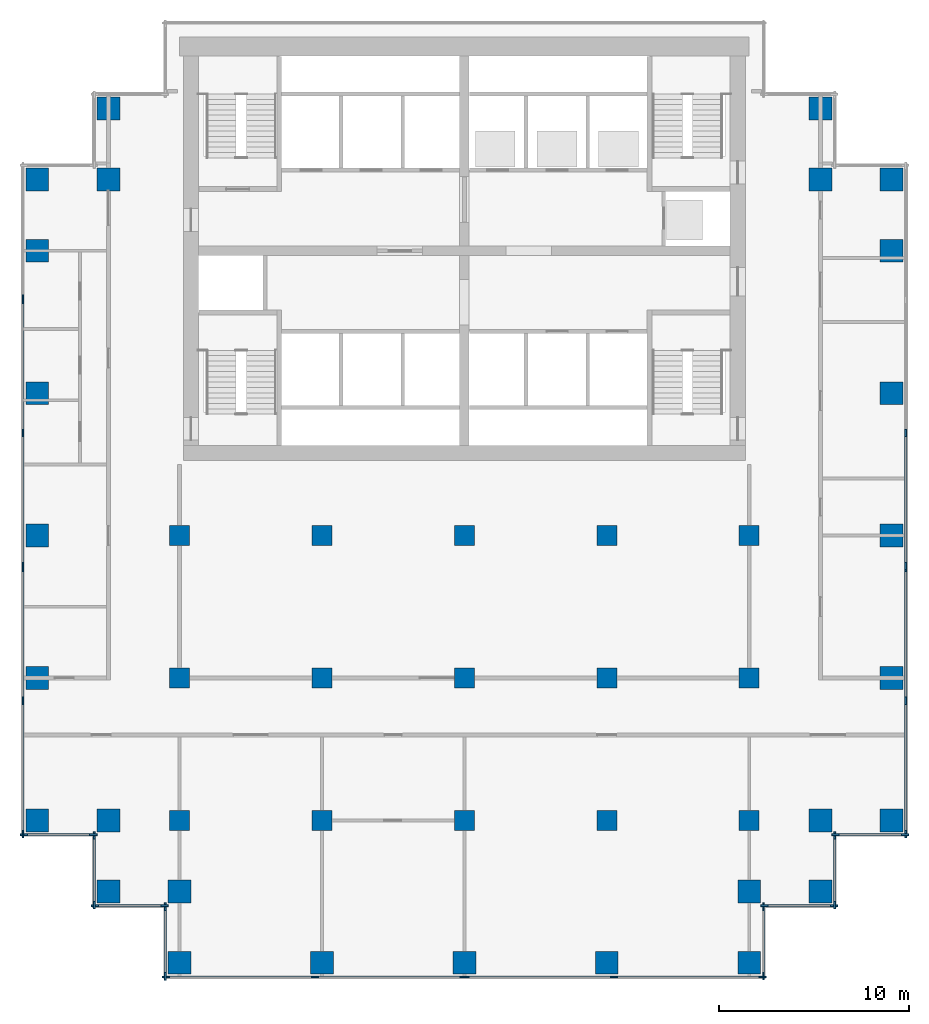
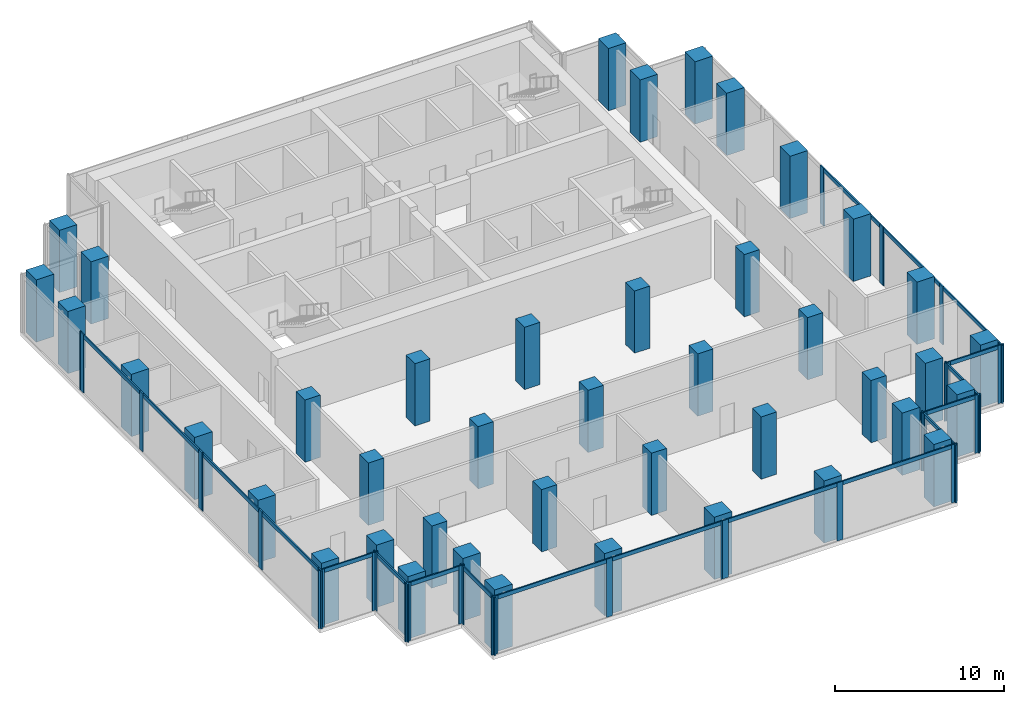
# One storey, part 1 of 8: 53 members, 42 columns, 15 elements without a shape of their own.
"""IFC4 building model written with IfcOpenShell, lengths in metres."""

from ifc_helpers import new_model, si_unit, direction, frame, origin, origin_2d, place, context, subcontext, project, spatial, rectangle, extrude, material, material_profile, profile_set, type_object, element, aggregate, save


model = new_model("IFC4")

# Units and contexts
model_context = context("Model", 3, precision=1e-05, world=origin(), true_north=direction((0.0, 1.0)))
body_context = subcontext(model_context, "Body", "Model", "MODEL_VIEW")
ifc_project = project(units=[si_unit("LENGTHUNIT", "METRE"), si_unit("AREAUNIT", "SQUARE_METRE"), si_unit("VOLUMEUNIT", "CUBIC_METRE"), si_unit("PLANEANGLEUNIT", "RADIAN"), si_unit("MASSUNIT", "GRAM", prefix="KILO")], contexts=[model_context])

# Site, building, storey
site_placement = place(None, origin())
site = spatial("IfcSite", under=ifc_project, at=site_placement, CompositionType="ELEMENT")
building_placement = place(site_placement, origin())
building = spatial("IfcBuilding", under=site, at=building_placement, Name="Pilkhan Gate Tower", CompositionType="ELEMENT")
storey_placement = place(building_placement, frame((0.0, 0.0, 143.199951171875)))
storey = spatial("IfcBuildingStorey", under=building, at=storey_placement, Name="L36", CompositionType="ELEMENT", Elevation=143.199951171875)

# Columns
ifc_material_1 = material(Name="Concrete C60/75", Category="concrete")
ifc_material_profile_1 = material_profile(ifc_material_1, rectangle(XDim=1.050048828125, YDim=1.050048828125, at=origin_2d()), Name="RC 1050x1050")
ifc_profile_set_1 = profile_set([ifc_material_profile_1], Name="Concrete C60/75")
column_type_1 = type_object("IfcColumnType", Name="Column C105 RC 1050x1050 C60/75", PredefinedType="COLUMN", material=ifc_profile_set_1)
for number, where, z_axis, x_axis, name in (
    (1, (60.0, 52.5, 0.0), (0.0, 0.0, 1.0), (1.0, 0.0, 0.0), "Column 7/D L36"),
    (2, (60.0, 60.0, 0.0), (0.0, 0.0, 1.0), (1.0, 0.0, 0.0), "Column 7/F L36"),
    (3, (60.0, 67.5, 0.0), (0.0, 0.0, 1.0), (1.0, 0.0, 0.0), "Column 7/H L36"),
    (4, (67.5, 52.5, 0.0), (0.0, 0.0, 1.0), (1.0, 0.0, 0.0), "Column 9/D L36"),
    (5, (67.5, 60.0, 0.0), (0.0, 0.0, 1.0), (1.0, 0.0, 0.0), "Column 9/F L36"),
    (6, (67.5, 67.5, 0.0), (0.0, 0.0, 1.0), (1.0, 0.0, 0.0), "Column 9/H L36"),
    (7, (75.0, 52.5, 0.0), (0.0, 0.0, 1.0), (1.0, 0.0, 0.0), "Column 11/D L36"),
    (8, (75.0, 60.0, 0.0), (0.0, 0.0, 1.0), (1.0, 0.0, 0.0), "Column 11/F L36"),
    (9, (75.0, 67.5, 0.0), (0.0, 0.0, 1.0), (1.0, 0.0, 0.0), "Column 11/H L36"),
    (10, (82.5, 52.5, 0.0), (0.0, 0.0, 1.0), (1.0, 0.0, 0.0), "Column 13/D L36"),
    (11, (82.5, 60.0, 0.0), (0.0, 0.0, 1.0), (1.0, 0.0, 0.0), "Column 13/F L36"),
    (12, (82.5, 67.5, 0.0), (0.0, 0.0, 1.0), (1.0, 0.0, 0.0), "Column 13/H L36"),
    (13, (90.0, 52.5, 0.0), (0.0, 0.0, 1.0), (1.0, 0.0, 0.0), "Column 15/D L36"),
    (14, (90.0, 60.0, 0.0), (0.0, 0.0, 1.0), (1.0, 0.0, 0.0), "Column 15/F L36"),
    (15, (90.0, 67.5, 0.0), (0.0, 0.0, 1.0), (1.0, 0.0, 0.0), "Column 15/H L36"),
):
    element("IfcColumn", number, at=place(storey_placement, frame(where, z_axis=z_axis, x_axis=x_axis)), inside=storey, type_object=column_type_1, Name=name, PredefinedType="COLUMN", context=body_context, shape_type="SweptSolid", body=[
        extrude(rectangle(XDim=1.050048828125, YDim=1.050048828125, at=origin_2d()), origin(), (0.0, 0.0, 1.0), 4.5),
    ])
ifc_material_profile_2 = material_profile(ifc_material_1, rectangle(XDim=1.199951171875, YDim=1.199951171875, at=origin_2d()), Name="RC 1200x1200")
ifc_profile_set_2 = profile_set([ifc_material_profile_2], Name="Concrete C60/75")
column_type_2 = type_object("IfcColumnType", Name="Column C120 RC 1200x1200 C60/75", PredefinedType="COLUMN", material=ifc_profile_set_2)
for number, where, z_axis, x_axis, name in (
    (16, (52.5, 52.5, 0.0), (0.0, 0.0, 1.0), (1.0, 0.0, 0.0), "Column 5/D L36"),
    (17, (52.5, 60.0, 0.0), (0.0, 0.0, 1.0), (1.0, 0.0, 0.0), "Column 5/F L36"),
    (18, (52.5, 67.5, 0.0), (0.0, 0.0, 1.0), (1.0, 0.0, 0.0), "Column 5/H L36"),
    (19, (52.5, 75.0, 0.0), (0.0, 0.0, 1.0), (1.0, 0.0, 0.0), "Column 5/K L36"),
    (20, (52.5, 82.5, 0.0), (0.0, 0.0, 1.0), (1.0, 0.0, 0.0), "Column 5/M L36"),
    (21, (52.5, 86.25, 0.0), (0.0, 0.0, 1.0), (1.0, 0.0, 0.0), "Column 5/N L36"),
    (22, (56.25, 48.75, 0.0), (0.0, 0.0, 1.0), (1.0, 0.0, 0.0), "Column 6/C L36"),
    (23, (56.25, 52.5, 0.0), (0.0, 0.0, 1.0), (1.0, 0.0, 0.0), "Column 6/D L36"),
    (24, (56.25, 86.25, 0.0), (0.0, 0.0, 1.0), (1.0, 0.0, 0.0), "Column 6/N L36"),
    (25, (56.25, 90.0, 0.0), (0.0, 0.0, 1.0), (1.0, 0.0, 0.0), "Column 6/P L36"),
    (26, (60.0, 45.0, 0.0), (0.0, 0.0, 1.0), (1.0, 0.0, 0.0), "Column 7/B L36"),
    (27, (60.0, 48.75, 0.0), (0.0, 0.0, 1.0), (1.0, 0.0, 0.0), "Column 7/C L36"),
    (28, (67.5, 45.0, 0.0), (0.0, 0.0, 1.0), (1.0, 0.0, 0.0), "Column 9/B L36"),
    (29, (75.0, 45.0, 0.0), (0.0, 0.0, 1.0), (1.0, 0.0, 0.0), "Column 11/B L36"),
    (30, (82.5, 45.0, 0.0), (0.0, 0.0, 1.0), (1.0, 0.0, 0.0), "Column 13/B L36"),
    (31, (90.0, 45.0, 0.0), (0.0, 0.0, 1.0), (1.0, 0.0, 0.0), "Column 15/B L36"),
    (32, (90.0, 48.75, 0.0), (0.0, 0.0, 1.0), (1.0, 0.0, 0.0), "Column 15/C L36"),
    (33, (93.75, 48.75, 0.0), (0.0, 0.0, 1.0), (1.0, 0.0, 0.0), "Column 16/C L36"),
    (34, (93.75, 52.5, 0.0), (0.0, 0.0, 1.0), (1.0, 0.0, 0.0), "Column 16/D L36"),
    (35, (93.75, 86.25, 0.0), (0.0, 0.0, 1.0), (1.0, 0.0, 0.0), "Column 16/N L36"),
    (36, (93.75, 90.0, 0.0), (0.0, 0.0, 1.0), (1.0, 0.0, 0.0), "Column 16/P L36"),
    (37, (97.5, 52.5, 0.0), (0.0, 0.0, 1.0), (1.0, 0.0, 0.0), "Column 17/D L36"),
    (38, (97.5, 60.0, 0.0), (0.0, 0.0, 1.0), (1.0, 0.0, 0.0), "Column 17/F L36"),
    (39, (97.5, 67.5, 0.0), (0.0, 0.0, 1.0), (1.0, 0.0, 0.0), "Column 17/H L36"),
    (40, (97.5, 75.0, 0.0), (0.0, 0.0, 1.0), (1.0, 0.0, 0.0), "Column 17/K L36"),
    (41, (97.5, 82.5, 0.0), (0.0, 0.0, 1.0), (1.0, 0.0, 0.0), "Column 17/M L36"),
    (42, (97.5, 86.25, 0.0), (0.0, 0.0, 1.0), (1.0, 0.0, 0.0), "Column 17/N L36"),
):
    element("IfcColumn", number, at=place(storey_placement, frame(where, z_axis=z_axis, x_axis=x_axis)), inside=storey, type_object=column_type_2, Name=name, PredefinedType="COLUMN", context=body_context, shape_type="SweptSolid", body=[
        extrude(rectangle(XDim=1.199951171875, YDim=1.199951171875, at=origin_2d()), origin(), (0.0, 0.0, 1.0), 4.5),
    ])

# Curtain wall, members
ifc_material_2 = material(Name="Pale anodised aluminium, clear low-iron laminated glazing", Category="aluminium")
curtain_wall_type = type_object("IfcCurtainWallType", Name="Sky lobby and deck curtain wall CW-S", PredefinedType="USERDEFINED", material=ifc_material_2)
curtain_wall_1_placement = place(storey_placement, origin())
curtain_wall_1 = element("IfcCurtainWall", 43, at=curtain_wall_1_placement, inside=storey, type_object=curtain_wall_type, Name="Sky lobby and deck curtain wall CW-S L36 E", ObjectType="UNITISED CURTAIN WALL", PredefinedType="USERDEFINED")
ifc_material_3 = material(Name="Pale anodised aluminium", Category="aluminium")
ifc_material_profile_3 = material_profile(ifc_material_3, rectangle(XDim=0.090087890625, YDim=0.39990234375, at=origin_2d()), Name="Mullion 400x90")
ifc_profile_set_3 = profile_set([ifc_material_profile_3], Name="Pale anodised aluminium")
member_type_1 = type_object("IfcMemberType", Name="Mullion CW-S 400x90", PredefinedType="MULLION", material=ifc_profile_set_3)
member_1_placement = place(storey_placement, frame((98.25, 51.794921875, 0.0), z_axis=(0.0, 0.0, 1.0), x_axis=(-1.0, 0.0, 0.0)))
member_1 = element("IfcMember", 44, at=member_1_placement, type_object=member_type_1, Name="CW-S mullion 1", PredefinedType="MULLION", context=body_context, shape_type="SweptSolid", body=[
    extrude(rectangle(XDim=0.090087890625, YDim=0.39990234375, at=origin_2d()), origin(), (0.0, 0.0, 1.0), 4.199951171875),
])
member_2_placement = place(storey_placement, frame((98.25, 58.800048828125, 0.0), z_axis=(0.0, 0.0, 1.0), x_axis=(-1.0, 0.0, 0.0)))
member_2 = element("IfcMember", 45, at=member_2_placement, type_object=member_type_1, Name="CW-S mullion 2", PredefinedType="MULLION", context=body_context, shape_type="SweptSolid", body=[
    extrude(rectangle(XDim=0.090087890625, YDim=0.39990234375, at=origin_2d()), origin(), (0.0, 0.0, 1.0), 4.199951171875),
])
member_3_placement = place(storey_placement, frame((98.25, 65.804931640625, 0.0), z_axis=(0.0, 0.0, 1.0), x_axis=(-1.0, 0.0, 0.0)))
member_3 = element("IfcMember", 46, at=member_3_placement, type_object=member_type_1, Name="CW-S mullion 3", PredefinedType="MULLION", context=body_context, shape_type="SweptSolid", body=[
    extrude(rectangle(XDim=0.090087890625, YDim=0.39990234375, at=origin_2d()), origin(), (0.0, 0.0, 1.0), 4.199951171875),
])

curtain_wall_2_placement = place(storey_placement, origin())
curtain_wall_2 = element("IfcCurtainWall", 47, at=curtain_wall_2_placement, inside=storey, type_object=curtain_wall_type, Name="Sky lobby and deck curtain wall CW-S L36 E", ObjectType="UNITISED CURTAIN WALL", PredefinedType="USERDEFINED")
member_4_placement = place(storey_placement, frame((98.25, 65.89501953125, 0.0), z_axis=(0.0, 0.0, 1.0), x_axis=(-1.0, 0.0, 0.0)))
member_4 = element("IfcMember", 48, at=member_4_placement, type_object=member_type_1, Name="CW-S mullion 1", PredefinedType="MULLION", context=body_context, shape_type="SweptSolid", body=[
    extrude(rectangle(XDim=0.090087890625, YDim=0.39990234375, at=origin_2d()), origin(), (0.0, 0.0, 1.0), 4.199951171875),
])
member_5_placement = place(storey_placement, frame((98.25, 72.89990234375, 0.0), z_axis=(0.0, 0.0, 1.0), x_axis=(-1.0, 0.0, 0.0)))
member_5 = element("IfcMember", 49, at=member_5_placement, type_object=member_type_1, Name="CW-S mullion 2", PredefinedType="MULLION", context=body_context, shape_type="SweptSolid", body=[
    extrude(rectangle(XDim=0.090087890625, YDim=0.39990234375, at=origin_2d()), origin(), (0.0, 0.0, 1.0), 4.199951171875),
])

curtain_wall_3_placement = place(storey_placement, origin())
curtain_wall_3 = element("IfcCurtainWall", 50, at=curtain_wall_3_placement, inside=storey, type_object=curtain_wall_type, Name="Sky lobby and deck curtain wall CW-S L36 W", ObjectType="UNITISED CURTAIN WALL", PredefinedType="USERDEFINED")
member_6_placement = place(storey_placement, frame((51.75, 51.794921875, 0.0), z_axis=(0.0, 0.0, 1.0), x_axis=(-1.0, 0.0, 0.0)))
member_6 = element("IfcMember", 51, at=member_6_placement, type_object=member_type_1, Name="CW-S mullion 1", PredefinedType="MULLION", context=body_context, shape_type="SweptSolid", body=[
    extrude(rectangle(XDim=0.090087890625, YDim=0.39990234375, at=origin_2d()), origin(), (0.0, 0.0, 1.0), 4.199951171875),
])
member_7_placement = place(storey_placement, frame((51.75, 58.800048828125, 0.0), z_axis=(0.0, 0.0, 1.0), x_axis=(-1.0, 0.0, 0.0)))
member_7 = element("IfcMember", 52, at=member_7_placement, type_object=member_type_1, Name="CW-S mullion 2", PredefinedType="MULLION", context=body_context, shape_type="SweptSolid", body=[
    extrude(rectangle(XDim=0.090087890625, YDim=0.39990234375, at=origin_2d()), origin(), (0.0, 0.0, 1.0), 4.199951171875),
])
member_8_placement = place(storey_placement, frame((51.75, 65.804931640625, 0.0), z_axis=(0.0, 0.0, 1.0), x_axis=(-1.0, 0.0, 0.0)))
member_8 = element("IfcMember", 53, at=member_8_placement, type_object=member_type_1, Name="CW-S mullion 3", PredefinedType="MULLION", context=body_context, shape_type="SweptSolid", body=[
    extrude(rectangle(XDim=0.090087890625, YDim=0.39990234375, at=origin_2d()), origin(), (0.0, 0.0, 1.0), 4.199951171875),
])

curtain_wall_4_placement = place(storey_placement, origin())
curtain_wall_4 = element("IfcCurtainWall", 54, at=curtain_wall_4_placement, inside=storey, type_object=curtain_wall_type, Name="Sky lobby and deck curtain wall CW-S L36 W", ObjectType="UNITISED CURTAIN WALL", PredefinedType="USERDEFINED")
member_9_placement = place(storey_placement, frame((51.75, 65.89501953125, 0.0), z_axis=(0.0, 0.0, 1.0), x_axis=(-1.0, 0.0, 0.0)))
member_9 = element("IfcMember", 55, at=member_9_placement, type_object=member_type_1, Name="CW-S mullion 1", PredefinedType="MULLION", context=body_context, shape_type="SweptSolid", body=[
    extrude(rectangle(XDim=0.090087890625, YDim=0.39990234375, at=origin_2d()), origin(), (0.0, 0.0, 1.0), 4.199951171875),
])
member_10_placement = place(storey_placement, frame((51.75, 72.89990234375, 0.0), z_axis=(0.0, 0.0, 1.0), x_axis=(-1.0, 0.0, 0.0)))
member_10 = element("IfcMember", 56, at=member_10_placement, type_object=member_type_1, Name="CW-S mullion 2", PredefinedType="MULLION", context=body_context, shape_type="SweptSolid", body=[
    extrude(rectangle(XDim=0.090087890625, YDim=0.39990234375, at=origin_2d()), origin(), (0.0, 0.0, 1.0), 4.199951171875),
])
member_11_placement = place(storey_placement, frame((51.75, 79.905029296875, 0.0), z_axis=(0.0, 0.0, 1.0), x_axis=(-1.0, 0.0, 0.0)))
member_11 = element("IfcMember", 57, at=member_11_placement, type_object=member_type_1, Name="CW-S mullion 3", PredefinedType="MULLION", context=body_context, shape_type="SweptSolid", body=[
    extrude(rectangle(XDim=0.090087890625, YDim=0.39990234375, at=origin_2d()), origin(), (0.0, 0.0, 1.0), 4.199951171875),
])

# Curtain wall, member
curtain_wall_5_placement = place(storey_placement, origin())
curtain_wall_5 = element("IfcCurtainWall", 58, at=curtain_wall_5_placement, inside=storey, type_object=curtain_wall_type, Name="Sky lobby and deck curtain wall CW-S L36 W", ObjectType="UNITISED CURTAIN WALL", PredefinedType="USERDEFINED")
member_12_placement = place(storey_placement, frame((51.75, 79.9951171875, 0.0), z_axis=(0.0, 0.0, 1.0), x_axis=(-1.0, 0.0, 0.0)))
member_12 = element("IfcMember", 59, at=member_12_placement, type_object=member_type_1, Name="CW-S mullion 1", PredefinedType="MULLION", context=body_context, shape_type="SweptSolid", body=[
    extrude(rectangle(XDim=0.090087890625, YDim=0.39990234375, at=origin_2d()), origin(), (0.0, 0.0, 1.0), 4.199951171875),
])
aggregate(curtain_wall_5, [member_12])

# Curtain wall, members
curtain_wall_6_placement = place(storey_placement, origin())
curtain_wall_6 = element("IfcCurtainWall", 60, at=curtain_wall_6_placement, inside=storey, type_object=curtain_wall_type, Name="Sky lobby and deck curtain wall CW-S L36 S", ObjectType="UNITISED CURTAIN WALL", PredefinedType="USERDEFINED")
member_13_placement = place(storey_placement, frame((51.794921875, 51.75, 0.0), z_axis=(0.0, 0.0, 1.0), x_axis=(0.0, 1.0, 0.0)))
member_13 = element("IfcMember", 61, at=member_13_placement, type_object=member_type_1, Name="CW-S mullion 1", PredefinedType="MULLION", context=body_context, shape_type="SweptSolid", body=[
    extrude(rectangle(XDim=0.090087890625, YDim=0.39990234375, at=origin_2d()), origin(), (0.0, 0.0, 1.0), 4.199951171875),
])
member_14_placement = place(storey_placement, frame((55.455078125, 51.75, 0.0), z_axis=(0.0, 0.0, 1.0), x_axis=(0.0, 1.0, 0.0)))
member_14 = element("IfcMember", 62, at=member_14_placement, type_object=member_type_1, Name="CW-S mullion 2", PredefinedType="MULLION", context=body_context, shape_type="SweptSolid", body=[
    extrude(rectangle(XDim=0.090087890625, YDim=0.39990234375, at=origin_2d()), origin(), (0.0, 0.0, 1.0), 4.199951171875),
])

curtain_wall_7_placement = place(storey_placement, origin())
curtain_wall_7 = element("IfcCurtainWall", 63, at=curtain_wall_7_placement, inside=storey, type_object=curtain_wall_type, Name="Sky lobby and deck curtain wall CW-S L36 W", ObjectType="UNITISED CURTAIN WALL", PredefinedType="USERDEFINED")
member_15_placement = place(storey_placement, frame((55.5, 48.044921875, 0.0), z_axis=(0.0, 0.0, 1.0), x_axis=(-1.0, 0.0, 0.0)))
member_15 = element("IfcMember", 64, at=member_15_placement, type_object=member_type_1, Name="CW-S mullion 1", PredefinedType="MULLION", context=body_context, shape_type="SweptSolid", body=[
    extrude(rectangle(XDim=0.090087890625, YDim=0.39990234375, at=origin_2d()), origin(), (0.0, 0.0, 1.0), 4.199951171875),
])
member_16_placement = place(storey_placement, frame((55.5, 51.705078125, 0.0), z_axis=(0.0, 0.0, 1.0), x_axis=(-1.0, 0.0, 0.0)))
member_16 = element("IfcMember", 65, at=member_16_placement, type_object=member_type_1, Name="CW-S mullion 2", PredefinedType="MULLION", context=body_context, shape_type="SweptSolid", body=[
    extrude(rectangle(XDim=0.090087890625, YDim=0.39990234375, at=origin_2d()), origin(), (0.0, 0.0, 1.0), 4.199951171875),
])

curtain_wall_8_placement = place(storey_placement, origin())
curtain_wall_8 = element("IfcCurtainWall", 66, at=curtain_wall_8_placement, inside=storey, type_object=curtain_wall_type, Name="Sky lobby and deck curtain wall CW-S L36 S", ObjectType="UNITISED CURTAIN WALL", PredefinedType="USERDEFINED")
member_17_placement = place(storey_placement, frame((55.544921875, 48.0, 0.0), z_axis=(0.0, 0.0, 1.0), x_axis=(0.0, 1.0, 0.0)))
member_17 = element("IfcMember", 67, at=member_17_placement, type_object=member_type_1, Name="CW-S mullion 1", PredefinedType="MULLION", context=body_context, shape_type="SweptSolid", body=[
    extrude(rectangle(XDim=0.090087890625, YDim=0.39990234375, at=origin_2d()), origin(), (0.0, 0.0, 1.0), 4.199951171875),
])
member_18_placement = place(storey_placement, frame((59.205078125, 48.0, 0.0), z_axis=(0.0, 0.0, 1.0), x_axis=(0.0, 1.0, 0.0)))
member_18 = element("IfcMember", 68, at=member_18_placement, type_object=member_type_1, Name="CW-S mullion 2", PredefinedType="MULLION", context=body_context, shape_type="SweptSolid", body=[
    extrude(rectangle(XDim=0.090087890625, YDim=0.39990234375, at=origin_2d()), origin(), (0.0, 0.0, 1.0), 4.199951171875),
])

curtain_wall_9_placement = place(storey_placement, origin())
curtain_wall_9 = element("IfcCurtainWall", 69, at=curtain_wall_9_placement, inside=storey, type_object=curtain_wall_type, Name="Sky lobby and deck curtain wall CW-S L36 W", ObjectType="UNITISED CURTAIN WALL", PredefinedType="USERDEFINED")
member_19_placement = place(storey_placement, frame((59.25, 44.294921875, 0.0), z_axis=(0.0, 0.0, 1.0), x_axis=(-1.0, 0.0, 0.0)))
member_19 = element("IfcMember", 70, at=member_19_placement, type_object=member_type_1, Name="CW-S mullion 1", PredefinedType="MULLION", context=body_context, shape_type="SweptSolid", body=[
    extrude(rectangle(XDim=0.090087890625, YDim=0.39990234375, at=origin_2d()), origin(), (0.0, 0.0, 1.0), 4.199951171875),
])
member_20_placement = place(storey_placement, frame((59.25, 47.955078125, 0.0), z_axis=(0.0, 0.0, 1.0), x_axis=(-1.0, 0.0, 0.0)))
member_20 = element("IfcMember", 71, at=member_20_placement, type_object=member_type_1, Name="CW-S mullion 2", PredefinedType="MULLION", context=body_context, shape_type="SweptSolid", body=[
    extrude(rectangle(XDim=0.090087890625, YDim=0.39990234375, at=origin_2d()), origin(), (0.0, 0.0, 1.0), 4.199951171875),
])

curtain_wall_10_placement = place(storey_placement, origin())
curtain_wall_10 = element("IfcCurtainWall", 72, at=curtain_wall_10_placement, inside=storey, type_object=curtain_wall_type, Name="Sky lobby and deck curtain wall CW-S L36 S", ObjectType="UNITISED CURTAIN WALL", PredefinedType="USERDEFINED")
member_21_placement = place(storey_placement, frame((59.294921875, 44.25, 0.0), z_axis=(0.0, 0.0, 1.0), x_axis=(0.0, 1.0, 0.0)))
member_21 = element("IfcMember", 73, at=member_21_placement, type_object=member_type_1, Name="CW-S mullion 1", PredefinedType="MULLION", context=body_context, shape_type="SweptSolid", body=[
    extrude(rectangle(XDim=0.090087890625, YDim=0.39990234375, at=origin_2d()), origin(), (0.0, 0.0, 1.0), 4.199951171875),
])
member_22_placement = place(storey_placement, frame((67.125, 44.25, 0.0), z_axis=(0.0, 0.0, 1.0), x_axis=(0.0, 1.0, 0.0)))
member_22 = element("IfcMember", 74, at=member_22_placement, type_object=member_type_1, Name="CW-S mullion 2", PredefinedType="MULLION", context=body_context, shape_type="SweptSolid", body=[
    extrude(rectangle(XDim=0.090087890625, YDim=0.39990234375, at=origin_2d()), origin(), (0.0, 0.0, 1.0), 4.199951171875),
])
member_23_placement = place(storey_placement, frame((74.955078125, 44.25, 0.0), z_axis=(0.0, 0.0, 1.0), x_axis=(0.0, 1.0, 0.0)))
member_23 = element("IfcMember", 75, at=member_23_placement, type_object=member_type_1, Name="CW-S mullion 3", PredefinedType="MULLION", context=body_context, shape_type="SweptSolid", body=[
    extrude(rectangle(XDim=0.090087890625, YDim=0.39990234375, at=origin_2d()), origin(), (0.0, 0.0, 1.0), 4.199951171875),
])

curtain_wall_11_placement = place(storey_placement, origin())
curtain_wall_11 = element("IfcCurtainWall", 76, at=curtain_wall_11_placement, inside=storey, type_object=curtain_wall_type, Name="Sky lobby and deck curtain wall CW-S L36 S", ObjectType="UNITISED CURTAIN WALL", PredefinedType="USERDEFINED")
member_24_placement = place(storey_placement, frame((75.044921875, 44.25, 0.0), z_axis=(0.0, 0.0, 1.0), x_axis=(0.0, 1.0, 0.0)))
member_24 = element("IfcMember", 77, at=member_24_placement, type_object=member_type_1, Name="CW-S mullion 1", PredefinedType="MULLION", context=body_context, shape_type="SweptSolid", body=[
    extrude(rectangle(XDim=0.090087890625, YDim=0.39990234375, at=origin_2d()), origin(), (0.0, 0.0, 1.0), 4.199951171875),
])
member_25_placement = place(storey_placement, frame((82.875, 44.25, 0.0), z_axis=(0.0, 0.0, 1.0), x_axis=(0.0, 1.0, 0.0)))
member_25 = element("IfcMember", 78, at=member_25_placement, type_object=member_type_1, Name="CW-S mullion 2", PredefinedType="MULLION", context=body_context, shape_type="SweptSolid", body=[
    extrude(rectangle(XDim=0.090087890625, YDim=0.39990234375, at=origin_2d()), origin(), (0.0, 0.0, 1.0), 4.199951171875),
])
member_26_placement = place(storey_placement, frame((90.705078125, 44.25, 0.0), z_axis=(0.0, 0.0, 1.0), x_axis=(0.0, 1.0, 0.0)))
member_26 = element("IfcMember", 79, at=member_26_placement, type_object=member_type_1, Name="CW-S mullion 3", PredefinedType="MULLION", context=body_context, shape_type="SweptSolid", body=[
    extrude(rectangle(XDim=0.090087890625, YDim=0.39990234375, at=origin_2d()), origin(), (0.0, 0.0, 1.0), 4.199951171875),
])

curtain_wall_12_placement = place(storey_placement, origin())
curtain_wall_12 = element("IfcCurtainWall", 80, at=curtain_wall_12_placement, inside=storey, type_object=curtain_wall_type, Name="Sky lobby and deck curtain wall CW-S L36 E", ObjectType="UNITISED CURTAIN WALL", PredefinedType="USERDEFINED")
member_27_placement = place(storey_placement, frame((90.75, 44.294921875, 0.0), z_axis=(0.0, 0.0, 1.0), x_axis=(-1.0, 0.0, 0.0)))
member_27 = element("IfcMember", 81, at=member_27_placement, type_object=member_type_1, Name="CW-S mullion 1", PredefinedType="MULLION", context=body_context, shape_type="SweptSolid", body=[
    extrude(rectangle(XDim=0.090087890625, YDim=0.39990234375, at=origin_2d()), origin(), (0.0, 0.0, 1.0), 4.199951171875),
])
member_28_placement = place(storey_placement, frame((90.75, 47.955078125, 0.0), z_axis=(0.0, 0.0, 1.0), x_axis=(-1.0, 0.0, 0.0)))
member_28 = element("IfcMember", 82, at=member_28_placement, type_object=member_type_1, Name="CW-S mullion 2", PredefinedType="MULLION", context=body_context, shape_type="SweptSolid", body=[
    extrude(rectangle(XDim=0.090087890625, YDim=0.39990234375, at=origin_2d()), origin(), (0.0, 0.0, 1.0), 4.199951171875),
])

curtain_wall_13_placement = place(storey_placement, origin())
curtain_wall_13 = element("IfcCurtainWall", 83, at=curtain_wall_13_placement, inside=storey, type_object=curtain_wall_type, Name="Sky lobby and deck curtain wall CW-S L36 S", ObjectType="UNITISED CURTAIN WALL", PredefinedType="USERDEFINED")
member_29_placement = place(storey_placement, frame((90.794921875, 48.0, 0.0), z_axis=(0.0, 0.0, 1.0), x_axis=(0.0, 1.0, 0.0)))
member_29 = element("IfcMember", 84, at=member_29_placement, type_object=member_type_1, Name="CW-S mullion 1", PredefinedType="MULLION", context=body_context, shape_type="SweptSolid", body=[
    extrude(rectangle(XDim=0.090087890625, YDim=0.39990234375, at=origin_2d()), origin(), (0.0, 0.0, 1.0), 4.199951171875),
])
member_30_placement = place(storey_placement, frame((94.455078125, 48.0, 0.0), z_axis=(0.0, 0.0, 1.0), x_axis=(0.0, 1.0, 0.0)))
member_30 = element("IfcMember", 85, at=member_30_placement, type_object=member_type_1, Name="CW-S mullion 2", PredefinedType="MULLION", context=body_context, shape_type="SweptSolid", body=[
    extrude(rectangle(XDim=0.090087890625, YDim=0.39990234375, at=origin_2d()), origin(), (0.0, 0.0, 1.0), 4.199951171875),
])

curtain_wall_14_placement = place(storey_placement, origin())
curtain_wall_14 = element("IfcCurtainWall", 86, at=curtain_wall_14_placement, inside=storey, type_object=curtain_wall_type, Name="Sky lobby and deck curtain wall CW-S L36 E", ObjectType="UNITISED CURTAIN WALL", PredefinedType="USERDEFINED")
member_31_placement = place(storey_placement, frame((94.5, 48.044921875, 0.0), z_axis=(0.0, 0.0, 1.0), x_axis=(-1.0, 0.0, 0.0)))
member_31 = element("IfcMember", 87, at=member_31_placement, type_object=member_type_1, Name="CW-S mullion 1", PredefinedType="MULLION", context=body_context, shape_type="SweptSolid", body=[
    extrude(rectangle(XDim=0.090087890625, YDim=0.39990234375, at=origin_2d()), origin(), (0.0, 0.0, 1.0), 4.199951171875),
])
member_32_placement = place(storey_placement, frame((94.5, 51.705078125, 0.0), z_axis=(0.0, 0.0, 1.0), x_axis=(-1.0, 0.0, 0.0)))
member_32 = element("IfcMember", 88, at=member_32_placement, type_object=member_type_1, Name="CW-S mullion 2", PredefinedType="MULLION", context=body_context, shape_type="SweptSolid", body=[
    extrude(rectangle(XDim=0.090087890625, YDim=0.39990234375, at=origin_2d()), origin(), (0.0, 0.0, 1.0), 4.199951171875),
])

curtain_wall_15_placement = place(storey_placement, origin())
curtain_wall_15 = element("IfcCurtainWall", 89, at=curtain_wall_15_placement, inside=storey, type_object=curtain_wall_type, Name="Sky lobby and deck curtain wall CW-S L36 S", ObjectType="UNITISED CURTAIN WALL", PredefinedType="USERDEFINED")
member_33_placement = place(storey_placement, frame((94.544921875, 51.75, 0.0), z_axis=(0.0, 0.0, 1.0), x_axis=(0.0, 1.0, 0.0)))
member_33 = element("IfcMember", 90, at=member_33_placement, type_object=member_type_1, Name="CW-S mullion 1", PredefinedType="MULLION", context=body_context, shape_type="SweptSolid", body=[
    extrude(rectangle(XDim=0.090087890625, YDim=0.39990234375, at=origin_2d()), origin(), (0.0, 0.0, 1.0), 4.199951171875),
])
member_34_placement = place(storey_placement, frame((98.205078125, 51.75, 0.0), z_axis=(0.0, 0.0, 1.0), x_axis=(0.0, 1.0, 0.0)))
member_34 = element("IfcMember", 91, at=member_34_placement, type_object=member_type_1, Name="CW-S mullion 2", PredefinedType="MULLION", context=body_context, shape_type="SweptSolid", body=[
    extrude(rectangle(XDim=0.090087890625, YDim=0.39990234375, at=origin_2d()), origin(), (0.0, 0.0, 1.0), 4.199951171875),
])

# Member
ifc_material_profile_4 = material_profile(ifc_material_3, rectangle(XDim=0.090087890625, YDim=0.280029296875, at=origin_2d()), Name="Transom 280x90")
ifc_profile_set_4 = profile_set([ifc_material_profile_4], Name="Pale anodised aluminium")
member_type_2 = type_object("IfcMemberType", Name="Transom CW-S 280x90", PredefinedType="USERDEFINED", material=ifc_profile_set_4)
member_35_placement = place(storey_placement, frame((98.25, 51.840087890625, 4.06005859375), z_axis=(0.0, 1.0, 0.0), x_axis=(-1.0, 0.0, 0.0)))
member_35 = element("IfcMember", 92, at=member_35_placement, type_object=member_type_2, Name="CW-S transom 1", ObjectType="TRANSOM", PredefinedType="USERDEFINED", context=body_context, shape_type="SweptSolid", body=[
    extrude(rectangle(XDim=0.090087890625, YDim=0.280029296875, at=origin_2d()), origin(), (0.0, 0.0, 1.0), 6.914794921875),
])

member_36_placement = place(storey_placement, frame((98.25, 58.844970703125, 4.06005859375), z_axis=(0.0, 1.0, 0.0), x_axis=(-1.0, 0.0, 0.0)))
member_36 = element("IfcMember", 93, at=member_36_placement, type_object=member_type_2, Name="CW-S transom 2", ObjectType="TRANSOM", PredefinedType="USERDEFINED", context=body_context, shape_type="SweptSolid", body=[
    extrude(rectangle(XDim=0.090087890625, YDim=0.280029296875, at=origin_2d()), origin(), (0.0, 0.0, 1.0), 6.9150390625),
])

aggregate(curtain_wall_1, [member_1, member_2, member_3, member_35, member_36])

member_37_placement = place(storey_placement, frame((98.25, 65.93994140625, 4.06005859375), z_axis=(0.0, 1.0, 0.0), x_axis=(-1.0, 0.0, 0.0)))
member_37 = element("IfcMember", 94, at=member_37_placement, type_object=member_type_2, Name="CW-S transom 1", ObjectType="TRANSOM", PredefinedType="USERDEFINED", context=body_context, shape_type="SweptSolid", body=[
    extrude(rectangle(XDim=0.090087890625, YDim=0.280029296875, at=origin_2d()), origin(), (0.0, 0.0, 1.0), 6.9150390625),
])

aggregate(curtain_wall_2, [member_4, member_5, member_37])

member_38_placement = place(storey_placement, frame((51.75, 51.840087890625, 4.06005859375), z_axis=(0.0, 1.0, 0.0), x_axis=(-1.0, 0.0, 0.0)))
member_38 = element("IfcMember", 95, at=member_38_placement, type_object=member_type_2, Name="CW-S transom 1", ObjectType="TRANSOM", PredefinedType="USERDEFINED", context=body_context, shape_type="SweptSolid", body=[
    extrude(rectangle(XDim=0.090087890625, YDim=0.280029296875, at=origin_2d()), origin(), (0.0, 0.0, 1.0), 6.914794921875),
])

member_39_placement = place(storey_placement, frame((51.75, 58.844970703125, 4.06005859375), z_axis=(0.0, 1.0, 0.0), x_axis=(-1.0, 0.0, 0.0)))
member_39 = element("IfcMember", 96, at=member_39_placement, type_object=member_type_2, Name="CW-S transom 2", ObjectType="TRANSOM", PredefinedType="USERDEFINED", context=body_context, shape_type="SweptSolid", body=[
    extrude(rectangle(XDim=0.090087890625, YDim=0.280029296875, at=origin_2d()), origin(), (0.0, 0.0, 1.0), 6.9150390625),
])

aggregate(curtain_wall_3, [member_6, member_7, member_8, member_38, member_39])

member_40_placement = place(storey_placement, frame((51.75, 65.93994140625, 4.06005859375), z_axis=(0.0, 1.0, 0.0), x_axis=(-1.0, 0.0, 0.0)))
member_40 = element("IfcMember", 97, at=member_40_placement, type_object=member_type_2, Name="CW-S transom 1", ObjectType="TRANSOM", PredefinedType="USERDEFINED", context=body_context, shape_type="SweptSolid", body=[
    extrude(rectangle(XDim=0.090087890625, YDim=0.280029296875, at=origin_2d()), origin(), (0.0, 0.0, 1.0), 6.9150390625),
])

member_41_placement = place(storey_placement, frame((51.75, 72.945068359375, 4.06005859375), z_axis=(0.0, 1.0, 0.0), x_axis=(-1.0, 0.0, 0.0)))
member_41 = element("IfcMember", 98, at=member_41_placement, type_object=member_type_2, Name="CW-S transom 2", ObjectType="TRANSOM", PredefinedType="USERDEFINED", context=body_context, shape_type="SweptSolid", body=[
    extrude(rectangle(XDim=0.090087890625, YDim=0.280029296875, at=origin_2d()), origin(), (0.0, 0.0, 1.0), 6.9150390625),
])

aggregate(curtain_wall_4, [member_9, member_10, member_11, member_40, member_41])

member_42_placement = place(storey_placement, frame((51.840087890625, 51.75, 4.06005859375), z_axis=(1.0, 0.0, 0.0), x_axis=(0.0, 1.0, 0.0)))
member_42 = element("IfcMember", 99, at=member_42_placement, type_object=member_type_2, Name="CW-S transom 1", ObjectType="TRANSOM", PredefinedType="USERDEFINED", context=body_context, shape_type="SweptSolid", body=[
    extrude(rectangle(XDim=0.090087890625, YDim=0.280029296875, at=origin_2d()), origin(), (0.0, 0.0, 1.0), 3.56982421875),
])

aggregate(curtain_wall_6, [member_13, member_14, member_42])

member_43_placement = place(storey_placement, frame((55.5, 48.090087890625, 4.06005859375), z_axis=(0.0, 1.0, 0.0), x_axis=(-1.0, 0.0, 0.0)))
member_43 = element("IfcMember", 100, at=member_43_placement, type_object=member_type_2, Name="CW-S transom 1", ObjectType="TRANSOM", PredefinedType="USERDEFINED", context=body_context, shape_type="SweptSolid", body=[
    extrude(rectangle(XDim=0.090087890625, YDim=0.280029296875, at=origin_2d()), origin(), (0.0, 0.0, 1.0), 3.56982421875),
])

aggregate(curtain_wall_7, [member_15, member_16, member_43])

member_44_placement = place(storey_placement, frame((55.590087890625, 48.0, 4.06005859375), z_axis=(1.0, 0.0, 0.0), x_axis=(0.0, 1.0, 0.0)))
member_44 = element("IfcMember", 101, at=member_44_placement, type_object=member_type_2, Name="CW-S transom 1", ObjectType="TRANSOM", PredefinedType="USERDEFINED", context=body_context, shape_type="SweptSolid", body=[
    extrude(rectangle(XDim=0.090087890625, YDim=0.280029296875, at=origin_2d()), origin(), (0.0, 0.0, 1.0), 3.56982421875),
])

aggregate(curtain_wall_8, [member_17, member_18, member_44])

member_45_placement = place(storey_placement, frame((59.25, 44.340087890625, 4.06005859375), z_axis=(0.0, 1.0, 0.0), x_axis=(-1.0, 0.0, 0.0)))
member_45 = element("IfcMember", 102, at=member_45_placement, type_object=member_type_2, Name="CW-S transom 1", ObjectType="TRANSOM", PredefinedType="USERDEFINED", context=body_context, shape_type="SweptSolid", body=[
    extrude(rectangle(XDim=0.090087890625, YDim=0.280029296875, at=origin_2d()), origin(), (0.0, 0.0, 1.0), 3.56982421875),
])

aggregate(curtain_wall_9, [member_19, member_20, member_45])

member_46_placement = place(storey_placement, frame((59.340087890625, 44.25, 4.06005859375), z_axis=(1.0, 0.0, 0.0), x_axis=(0.0, 1.0, 0.0)))
member_46 = element("IfcMember", 103, at=member_46_placement, type_object=member_type_2, Name="CW-S transom 1", ObjectType="TRANSOM", PredefinedType="USERDEFINED", context=body_context, shape_type="SweptSolid", body=[
    extrude(rectangle(XDim=0.090087890625, YDim=0.280029296875, at=origin_2d()), origin(), (0.0, 0.0, 1.0), 7.739990234375),
])

member_47_placement = place(storey_placement, frame((67.169921875, 44.25, 4.06005859375), z_axis=(1.0, 0.0, 0.0), x_axis=(0.0, 1.0, 0.0)))
member_47 = element("IfcMember", 104, at=member_47_placement, type_object=member_type_2, Name="CW-S transom 2", ObjectType="TRANSOM", PredefinedType="USERDEFINED", context=body_context, shape_type="SweptSolid", body=[
    extrude(rectangle(XDim=0.090087890625, YDim=0.280029296875, at=origin_2d()), origin(), (0.0, 0.0, 1.0), 7.739990234375),
])

aggregate(curtain_wall_10, [member_21, member_22, member_23, member_46, member_47])

member_48_placement = place(storey_placement, frame((75.090087890625, 44.25, 4.06005859375), z_axis=(1.0, 0.0, 0.0), x_axis=(0.0, 1.0, 0.0)))
member_48 = element("IfcMember", 105, at=member_48_placement, type_object=member_type_2, Name="CW-S transom 1", ObjectType="TRANSOM", PredefinedType="USERDEFINED", context=body_context, shape_type="SweptSolid", body=[
    extrude(rectangle(XDim=0.090087890625, YDim=0.280029296875, at=origin_2d()), origin(), (0.0, 0.0, 1.0), 7.739990234375),
])

member_49_placement = place(storey_placement, frame((82.919921875, 44.25, 4.06005859375), z_axis=(1.0, 0.0, 0.0), x_axis=(0.0, 1.0, 0.0)))
member_49 = element("IfcMember", 106, at=member_49_placement, type_object=member_type_2, Name="CW-S transom 2", ObjectType="TRANSOM", PredefinedType="USERDEFINED", context=body_context, shape_type="SweptSolid", body=[
    extrude(rectangle(XDim=0.090087890625, YDim=0.280029296875, at=origin_2d()), origin(), (0.0, 0.0, 1.0), 7.739990234375),
])

aggregate(curtain_wall_11, [member_24, member_25, member_26, member_48, member_49])

member_50_placement = place(storey_placement, frame((90.75, 44.340087890625, 4.06005859375), z_axis=(0.0, 1.0, 0.0), x_axis=(-1.0, 0.0, 0.0)))
member_50 = element("IfcMember", 107, at=member_50_placement, type_object=member_type_2, Name="CW-S transom 1", ObjectType="TRANSOM", PredefinedType="USERDEFINED", context=body_context, shape_type="SweptSolid", body=[
    extrude(rectangle(XDim=0.090087890625, YDim=0.280029296875, at=origin_2d()), origin(), (0.0, 0.0, 1.0), 3.56982421875),
])

aggregate(curtain_wall_12, [member_27, member_28, member_50])

member_51_placement = place(storey_placement, frame((90.840087890625, 48.0, 4.06005859375), z_axis=(1.0, 0.0, 0.0), x_axis=(0.0, 1.0, 0.0)))
member_51 = element("IfcMember", 108, at=member_51_placement, type_object=member_type_2, Name="CW-S transom 1", ObjectType="TRANSOM", PredefinedType="USERDEFINED", context=body_context, shape_type="SweptSolid", body=[
    extrude(rectangle(XDim=0.090087890625, YDim=0.280029296875, at=origin_2d()), origin(), (0.0, 0.0, 1.0), 3.56982421875),
])

aggregate(curtain_wall_13, [member_29, member_30, member_51])

member_52_placement = place(storey_placement, frame((94.5, 48.090087890625, 4.06005859375), z_axis=(0.0, 1.0, 0.0), x_axis=(-1.0, 0.0, 0.0)))
member_52 = element("IfcMember", 109, at=member_52_placement, type_object=member_type_2, Name="CW-S transom 1", ObjectType="TRANSOM", PredefinedType="USERDEFINED", context=body_context, shape_type="SweptSolid", body=[
    extrude(rectangle(XDim=0.090087890625, YDim=0.280029296875, at=origin_2d()), origin(), (0.0, 0.0, 1.0), 3.56982421875),
])

aggregate(curtain_wall_14, [member_31, member_32, member_52])

member_53_placement = place(storey_placement, frame((94.590087890625, 51.75, 4.06005859375), z_axis=(1.0, 0.0, 0.0), x_axis=(0.0, 1.0, 0.0)))
member_53 = element("IfcMember", 110, at=member_53_placement, type_object=member_type_2, Name="CW-S transom 1", ObjectType="TRANSOM", PredefinedType="USERDEFINED", context=body_context, shape_type="SweptSolid", body=[
    extrude(rectangle(XDim=0.090087890625, YDim=0.280029296875, at=origin_2d()), origin(), (0.0, 0.0, 1.0), 3.56982421875),
])

aggregate(curtain_wall_15, [member_33, member_34, member_53])

save(model, "model.ifc")
